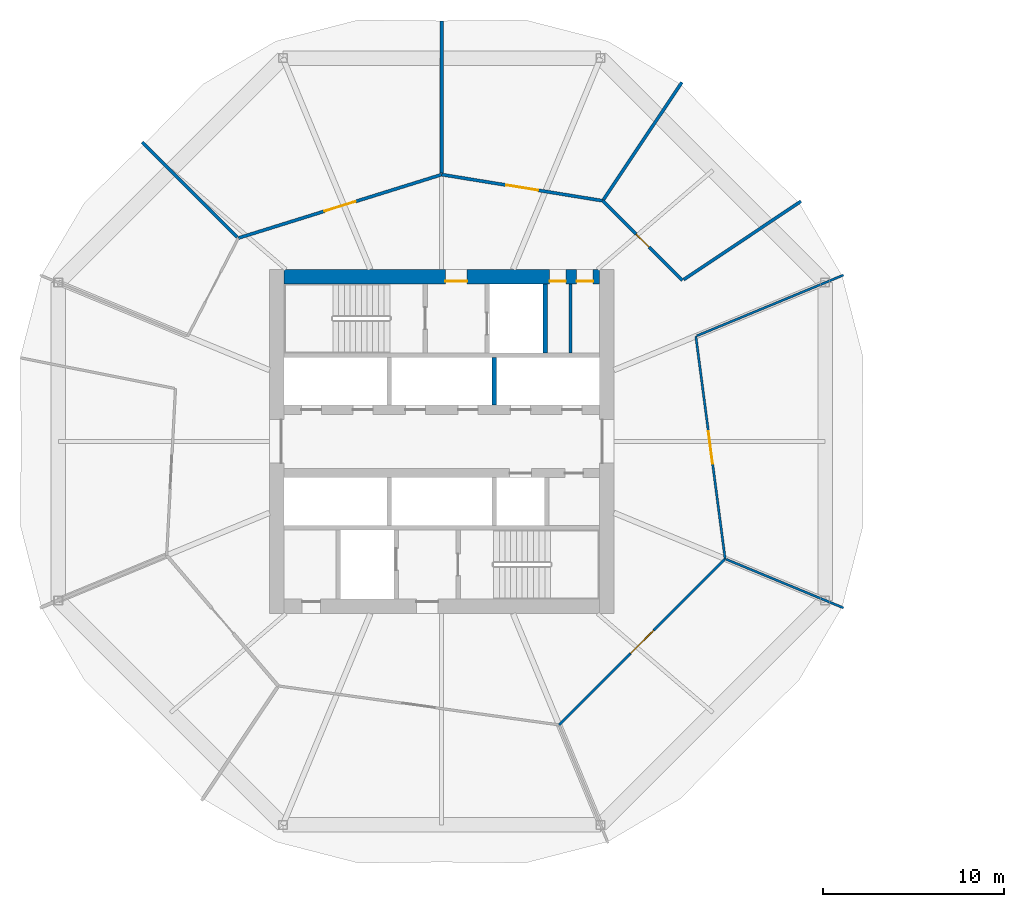
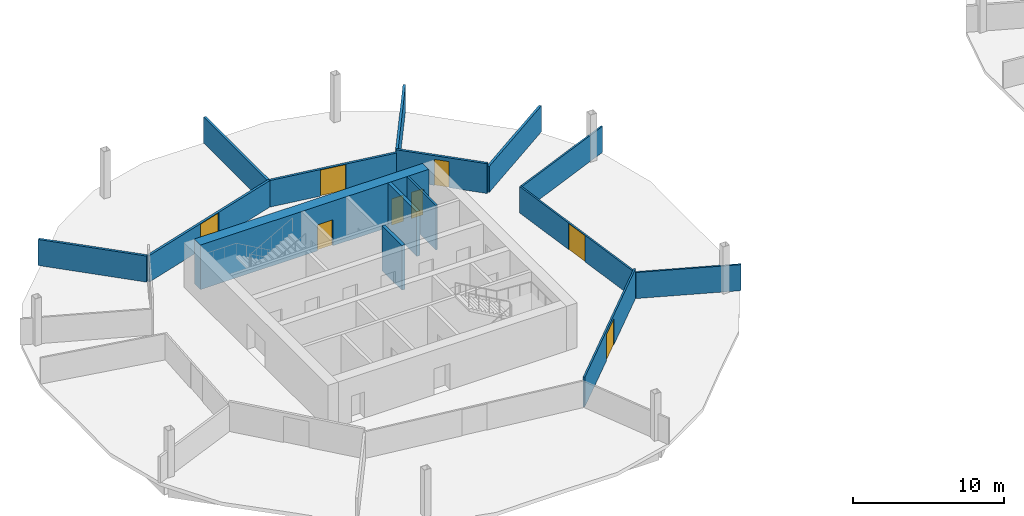
# One storey, part 5 of 9: 15 walls, 8 doors, 8 openings.
"""IFC4 building model written with IfcOpenShell, lengths in metres."""

from ifc_helpers import new_model, si_unit, direction, frame, frame_2d, origin, place, context, subcontext, project, spatial, rectangle, extrude, material, layer, layer_set, type_object, element, fill, save


model = new_model("IFC4")

# Units and contexts
model_context = context("Model", 3, precision=1e-05, world=origin(), true_north=direction((0.0, 1.0)))
body_context = subcontext(model_context, "Body", "Model", "MODEL_VIEW")
ifc_project = project(units=[si_unit("LENGTHUNIT", "METRE"), si_unit("AREAUNIT", "SQUARE_METRE"), si_unit("VOLUMEUNIT", "CUBIC_METRE"), si_unit("PLANEANGLEUNIT", "RADIAN"), si_unit("MASSUNIT", "GRAM", prefix="KILO")], contexts=[model_context])

# Site, building, storey
site_placement = place(None, origin())
site = spatial("IfcSite", under=ifc_project, at=site_placement, CompositionType="ELEMENT")
building_placement = place(site_placement, origin())
building = spatial("IfcBuilding", under=site, at=building_placement, Name="Ogive Gate Towers", CompositionType="ELEMENT")
storey_placement = place(building_placement, frame((0.0, 0.0, 67.5)))
storey = spatial("IfcBuildingStorey", under=building, at=storey_placement, Name="L15", CompositionType="ELEMENT", Elevation=67.5)

# Walls
ifc_material_1 = material(Name="Gypsum board acoustic partition")
ifc_layer_1 = layer(ifc_material_1, 0.175048828125)
ifc_layer_set_1 = layer_set([ifc_layer_1], Name="Acoustic partition 175")
wall_type_1 = type_object("IfcWallType", Name="Acoustic partition 175", PredefinedType="PARTITIONING", material=ifc_layer_set_1)
for number, where, z_axis, x_axis, name in (
    (1, (-16.17919921875, 13.2529296875, 0.0), (0.0, 0.0, 1.0), (-0.831301260907, -0.555822106087, 0.0), "Partition T1-L15-002"),
    (2, (-22.7470703125, 19.82080078125, 0.0), (0.0, 0.0, 1.0), (-0.555822106087, -0.831301260907, 0.0), "Partition T1-L15-003"),
):
    element("IfcWall", number, at=place(storey_placement, frame(where, z_axis=z_axis, x_axis=x_axis)), inside=storey, type_object=wall_type_1, Name=name, PredefinedType="PARTITIONING", context=body_context, shape_type="SweptSolid", body=[
        extrude(rectangle(XDim=7.7802734375, YDim=0.175048828125, at=frame_2d((3.89013671875, 0.0))), origin(), (0.0, 0.0, 1.0), 2.10009765625),
    ])
wall_1_placement = place(storey_placement, frame((-36.0, 23.208984375, 0.0), z_axis=(0.0, 0.0, 1.0), x_axis=(0.0, -1.0, 0.0)))
element("IfcWall", 3, at=wall_1_placement, inside=storey, type_object=wall_type_1, Name="Partition T1-L15-004", PredefinedType="PARTITIONING", context=body_context, shape_type="SweptSolid", body=[
    extrude(rectangle(XDim=8.396484375, YDim=0.175048828125, at=frame_2d((4.1982421875, 0.0))), origin(), (0.0, 0.0, 1.0), 2.10009765625),
])
wall_2_placement = place(storey_placement, frame((-52.52490234375, 16.52490234375, 0.0), z_axis=(0.0, 0.0, 1.0), x_axis=(0.707106781187, -0.707106781187, 0.0)))
element("IfcWall", 4, at=wall_2_placement, inside=storey, type_object=wall_type_1, Name="Partition T1-L15-005", PredefinedType="PARTITIONING", context=body_context, shape_type="SweptSolid", body=[
    extrude(rectangle(XDim=7.412109375, YDim=0.175048828125, at=frame_2d((3.7060546875, 0.0))), origin(), (0.0, 0.0, 1.0), 2.10009765625),
])

# Wall, opening, door
wall_3_placement = place(storey_placement, frame((-22.719482421875, 8.879638671875, 0.0), z_axis=(0.0, 0.0, 1.0), x_axis=(-0.707106781187, 0.707106781187, 0.0)))
wall_3 = element("IfcWall", 5, at=wall_3_placement, inside=storey, type_object=wall_type_1, Name="Partition T1-L15-012", PredefinedType="PARTITIONING", context=body_context, shape_type="SweptSolid", body=[
    extrude(rectangle(XDim=6.223876953125, YDim=0.175048828125, at=frame_2d((3.11181640625, 0.0))), origin(), (0.0, 0.0, 1.0), 2.39990234375),
])
opening_1_placement = place(wall_3_placement, frame((2.612060546875, 0.0, 0.0)))
opening_1 = element("IfcOpeningElement", 6, at=opening_1_placement, cuts=wall_3, Name="Opening T1-L15-D01", PredefinedType="OPENING", context=body_context, shape_type="SweptSolid", body=[
    extrude(rectangle(XDim=1.0, YDim=2.10009765625, at=frame_2d((0.5, 1.050048828125))), frame((0.0, 0.09765625, 0.0), z_axis=(0.0, -1.0, 0.0), x_axis=(1.0, 0.0, 0.0)), (0.0, 0.0, 1.0), 0.195068359375),
])
ifc_material_2 = material(Name="Timber door", Category="wood")
door_type_1 = type_object("IfcDoorType", Name="Door 1000", OperationType="NOTDEFINED", PredefinedType="DOOR", material=ifc_material_2)
door_1_placement = place(opening_1_placement, origin())
door_1 = element("IfcDoor", 7, at=door_1_placement, inside=storey, type_object=door_type_1, Name="Door T1-L15-D01", OperationType="SINGLE_SWING_LEFT", OverallHeight=2.10009765625, OverallWidth=1.0, PredefinedType="DOOR", context=body_context, shape_type="SweptSolid", body=[
    extrude(rectangle(XDim=1.0, YDim=2.10009765625, at=frame_2d((0.5, 1.050048828125))), frame((0.0, 0.02490234375, 0.0), z_axis=(0.0, -1.0, 0.0), x_axis=(1.0, 0.0, 0.0)), (0.0, 0.0, 1.0), 0.050048828125),
])
fill(opening_1, door_1)

wall_4_placement = place(storey_placement, frame((-27.120361328125, 13.280517578125, 0.0), z_axis=(0.0, 0.0, 1.0), x_axis=(-0.987023878965, 0.160573541883, 0.0)))
wall_4 = element("IfcWall", 8, at=wall_4_placement, inside=storey, type_object=wall_type_1, Name="Partition T1-L15-013", PredefinedType="PARTITIONING", context=body_context, shape_type="SweptSolid", body=[
    extrude(rectangle(XDim=8.996337890625, YDim=0.175048828125, at=frame_2d((4.498046875, 0.0))), origin(), (0.0, 0.0, 1.0), 2.139892578125),
])
opening_2_placement = place(wall_4_placement, frame((3.597900390625, 0.0, 0.0)))
opening_2 = element("IfcOpeningElement", 9, at=opening_2_placement, cuts=wall_4, Name="Opening T1-L15-D02", PredefinedType="OPENING", context=body_context, shape_type="SweptSolid", body=[
    extrude(rectangle(XDim=1.800048828125, YDim=2.10009765625, at=frame_2d((0.89990234375, 1.050048828125))), frame((0.0, 0.09765625, 0.0), z_axis=(0.0, -1.0, 0.0), x_axis=(1.0, 0.0, 0.0)), (0.0, 0.0, 1.0), 0.195068359375),
])
door_type_2 = type_object("IfcDoorType", Name="Door pair 1800", OperationType="NOTDEFINED", PredefinedType="DOOR", material=ifc_material_2)
door_2_placement = place(opening_2_placement, origin())
door_2 = element("IfcDoor", 10, at=door_2_placement, inside=storey, type_object=door_type_2, Name="Door T1-L15-D02", OperationType="DOUBLE_DOOR_DOUBLE_SWING", OverallHeight=2.10009765625, OverallWidth=1.800048828125, PredefinedType="DOOR", context=body_context, shape_type="SweptSolid", body=[
    extrude(rectangle(XDim=1.800048828125, YDim=2.10009765625, at=frame_2d((0.89990234375, 1.050048828125))), frame((0.0, 0.02490234375, 0.0), z_axis=(0.0, -1.0, 0.0), x_axis=(1.0, 0.0, 0.0)), (0.0, 0.0, 1.0), 0.050048828125),
])
fill(opening_2, door_2)

wall_5_placement = place(storey_placement, frame((-36.0, 14.72509765625, 0.0), z_axis=(0.0, 0.0, 1.0), x_axis=(-0.954561239175, -0.29801483296, 0.0)))
wall_5 = element("IfcWall", 11, at=wall_5_placement, inside=storey, type_object=wall_type_1, Name="Partition T1-L15-014", PredefinedType="PARTITIONING", context=body_context, shape_type="SweptSolid", body=[
    extrude(rectangle(XDim=11.755859375, YDim=0.175048828125, at=frame_2d((5.8779296875, 0.0))), origin(), (0.0, 0.0, 1.0), 2.139892578125),
])
opening_3_placement = place(wall_5_placement, frame((4.97802734375, 0.0, 0.0)))
opening_3 = element("IfcOpeningElement", 12, at=opening_3_placement, cuts=wall_5, Name="Opening T1-L15-D03", PredefinedType="OPENING", context=body_context, shape_type="SweptSolid", body=[
    extrude(rectangle(XDim=1.800048828125, YDim=2.10009765625, at=frame_2d((0.89990234375, 1.050048828125))), frame((0.0, 0.09765625, 0.0), z_axis=(0.0, -1.0, 0.0), x_axis=(1.0, 0.0, 0.0)), (0.0, 0.0, 1.0), 0.195068359375),
])
door_3_placement = place(opening_3_placement, origin())
door_3 = element("IfcDoor", 13, at=door_3_placement, inside=storey, type_object=door_type_2, Name="Door T1-L15-D03", OperationType="DOUBLE_DOOR_DOUBLE_SWING", OverallHeight=2.10009765625, OverallWidth=1.800048828125, PredefinedType="DOOR", context=body_context, shape_type="SweptSolid", body=[
    extrude(rectangle(XDim=1.800048828125, YDim=2.10009765625, at=frame_2d((0.89990234375, 1.050048828125))), frame((0.0, 0.02490234375, 0.0), z_axis=(0.0, -1.0, 0.0), x_axis=(1.0, 0.0, 0.0)), (0.0, 0.0, 1.0), 0.050048828125),
])
fill(opening_3, door_3)

# Wall, openings, doors
ifc_material_3 = material(Name="Concrete C60/75", Category="concrete")
ifc_layer_2 = layer(ifc_material_3, 0.800048828125)
ifc_layer_set_2 = layer_set([ifc_layer_2], Name="Core wall 800 mm")
wall_type_2 = type_object("IfcWallType", Name="Core wall 800 mm", PredefinedType="SHEAR", material=ifc_layer_set_2)
wall_6_placement = place(storey_placement, frame((-44.699951171875, 9.10009765625, 0.0), z_axis=(0.0, 0.0, 1.0), x_axis=(1.0, 0.0, 0.0)))
wall_6 = element("IfcWall", 14, at=wall_6_placement, inside=storey, type_object=wall_type_2, Name="T1 L15 Core wall 800 mm", PredefinedType="SHEAR", context=body_context, shape_type="SweptSolid", body=[
    extrude(rectangle(XDim=17.39990234375, YDim=0.800048828125, at=frame_2d((8.699951171875, 0.0))), origin(), (0.0, 0.0, 1.0), 3.60009765625),
])
opening_4_placement = place(wall_6_placement, frame((8.89990234375, 0.0, 0.0)))
opening_4 = element("IfcOpeningElement", 15, at=opening_4_placement, cuts=wall_6, Name="Opening KD-T1-L15-15", PredefinedType="OPENING", context=body_context, shape_type="SweptSolid", body=[
    extrude(rectangle(XDim=1.199951171875, YDim=2.10009765625, at=frame_2d((0.60009765625, 1.050048828125))), frame((0.0, 0.41015625, 0.0), z_axis=(0.0, -1.0, 0.0), x_axis=(1.0, 0.0, 0.0)), (0.0, 0.0, 1.0), 0.820068359375),
])
opening_5_placement = place(wall_6_placement, frame((14.64990234375, 0.0, 0.0)))
opening_5 = element("IfcOpeningElement", 16, at=opening_5_placement, cuts=wall_6, Name="Opening KD-T1-L15-17", PredefinedType="OPENING", context=body_context, shape_type="SweptSolid", body=[
    extrude(rectangle(XDim=0.89990234375, YDim=2.10009765625, at=frame_2d((0.449951171875, 1.050048828125))), frame((0.0, 0.41015625, 0.0), z_axis=(0.0, -1.0, 0.0), x_axis=(1.0, 0.0, 0.0)), (0.0, 0.0, 1.0), 0.820068359375),
])
opening_6_placement = place(wall_6_placement, frame((16.14990234375, 0.0, 0.0)))
opening_6 = element("IfcOpeningElement", 17, at=opening_6_placement, cuts=wall_6, Name="Opening KD-T1-L15-18", PredefinedType="OPENING", context=body_context, shape_type="SweptSolid", body=[
    extrude(rectangle(XDim=0.89990234375, YDim=2.10009765625, at=frame_2d((0.449951171875, 1.050048828125))), frame((0.0, 0.41015625, 0.0), z_axis=(0.0, -1.0, 0.0), x_axis=(1.0, 0.0, 0.0)), (0.0, 0.0, 1.0), 0.820068359375),
])
door_type_3 = type_object("IfcDoorType", Name="Core WC door 900 x 2100", OperationType="NOTDEFINED", PredefinedType="DOOR", material=ifc_material_2)
door_4_placement = place(opening_5_placement, origin())
door_4 = element("IfcDoor", 18, at=door_4_placement, inside=storey, type_object=door_type_3, Name="T1 L15 Core door", OperationType="SINGLE_SWING_RIGHT", OverallHeight=2.10009765625, OverallWidth=0.89990234375, PredefinedType="DOOR", context=body_context, shape_type="SweptSolid", body=[
    extrude(rectangle(XDim=0.89990234375, YDim=2.10009765625, at=frame_2d((0.449951171875, 1.050048828125))), frame((0.0, -0.22509765625, 0.0), z_axis=(0.0, -1.0, 0.0), x_axis=(1.0, 0.0, 0.0)), (0.0, 0.0, 1.0), 0.050048828125),
])
fill(opening_5, door_4)
door_5_placement = place(opening_6_placement, origin())
door_5 = element("IfcDoor", 19, at=door_5_placement, inside=storey, type_object=door_type_3, Name="T1 L15 Core door", OperationType="SINGLE_SWING_LEFT", OverallHeight=2.10009765625, OverallWidth=0.89990234375, PredefinedType="DOOR", context=body_context, shape_type="SweptSolid", body=[
    extrude(rectangle(XDim=0.89990234375, YDim=2.10009765625, at=frame_2d((0.449951171875, 1.050048828125))), frame((0.0, -0.22509765625, 0.0), z_axis=(0.0, -1.0, 0.0), x_axis=(1.0, 0.0, 0.0)), (0.0, 0.0, 1.0), 0.050048828125),
])
fill(opening_6, door_5)
ifc_material_4 = material(Name="Steel fire door", Category="steel")
door_type_4 = type_object("IfcDoorType", Name="Core door FD60S 1200 x 2100", OperationType="NOTDEFINED", PredefinedType="DOOR", material=ifc_material_4)
door_6_placement = place(opening_4_placement, origin())
door_6 = element("IfcDoor", 20, at=door_6_placement, inside=storey, type_object=door_type_4, Name="T1 L15 Fire-fighting lobby door", OperationType="SINGLE_SWING_RIGHT", OverallHeight=2.10009765625, OverallWidth=1.199951171875, PredefinedType="DOOR", context=body_context, shape_type="SweptSolid", body=[
    extrude(rectangle(XDim=1.199951171875, YDim=2.10009765625, at=frame_2d((0.60009765625, 1.050048828125))), frame((0.0, -0.22509765625, 0.0), z_axis=(0.0, -1.0, 0.0), x_axis=(1.0, 0.0, 0.0)), (0.0, 0.0, 1.0), 0.050048828125),
])
fill(opening_4, door_6)

# Walls
ifc_material_5 = material(Name="Gypsum board partition")
ifc_layer_3 = layer(ifc_material_5, 0.125)
ifc_layer_set_3 = layer_set([ifc_layer_3], Name="Partition 125")
wall_type_3 = type_object("IfcWallType", Name="Partition 125", PredefinedType="PARTITIONING", material=ifc_layer_set_3)
wall_7_placement = place(storey_placement, frame((-13.83154296875, 9.182373046875, 0.0), z_axis=(0.0, 0.0, 1.0), x_axis=(-0.923883284304, -0.38267437461, 0.0)))
element("IfcWall", 21, at=wall_7_placement, inside=storey, type_object=wall_type_3, Name="Partition T1-L15-001", PredefinedType="PARTITIONING", context=body_context, shape_type="SweptSolid", body=[
    extrude(rectangle(XDim=8.75634765625, YDim=0.125, at=frame_2d((4.378173828125, 0.0))), origin(), (0.0, 0.0, 1.0), 2.10009765625),
])
wall_8_placement = place(storey_placement, frame((-13.83154296875, -9.182373046875, 0.0), z_axis=(0.0, 0.0, 1.0), x_axis=(-0.923885179641, 0.382669798703, 0.0)))
element("IfcWall", 22, at=wall_8_placement, inside=storey, type_object=wall_type_3, Name="Partition T1-L15-011", PredefinedType="PARTITIONING", context=body_context, shape_type="SweptSolid", body=[
    extrude(rectangle(XDim=7.00634765625, YDim=0.125, at=frame_2d((3.503173828125, 0.0))), origin(), (0.0, 0.0, 1.0), 2.10009765625),
])

# Wall, opening, door
wall_9_placement = place(storey_placement, frame((-29.522705078125, -15.6376953125, 0.0), z_axis=(0.0, 0.0, 1.0), x_axis=(0.707106781187, 0.707106781187, 0.0)))
wall_9 = element("IfcWall", 23, at=wall_9_placement, inside=storey, type_object=wall_type_3, Name="Partition T1-L15-019", PredefinedType="PARTITIONING", context=body_context, shape_type="SweptSolid", body=[
    extrude(rectangle(XDim=12.954833984375, YDim=0.125, at=frame_2d((6.4775390625, 0.0))), origin(), (0.0, 0.0, 1.0), 2.39990234375),
])
opening_7_placement = place(wall_9_placement, frame((5.576904296875, 0.0, 0.0)))
opening_7 = element("IfcOpeningElement", 24, at=opening_7_placement, cuts=wall_9, Name="Opening T1-L15-D08", PredefinedType="OPENING", context=body_context, shape_type="SweptSolid", body=[
    extrude(rectangle(XDim=1.800048828125, YDim=2.10009765625, at=frame_2d((0.89990234375, 1.050048828125))), frame((0.0, 0.072509765625, 0.0), z_axis=(0.0, -1.0, 0.0), x_axis=(1.0, 0.0, 0.0)), (0.0, 0.0, 1.0), 0.14501953125),
])
door_7_placement = place(opening_7_placement, origin())
door_7 = element("IfcDoor", 25, at=door_7_placement, inside=storey, type_object=door_type_2, Name="Door T1-L15-D08", OperationType="DOUBLE_DOOR_DOUBLE_SWING", OverallHeight=2.10009765625, OverallWidth=1.800048828125, PredefinedType="DOOR", context=body_context, shape_type="SweptSolid", body=[
    extrude(rectangle(XDim=1.800048828125, YDim=2.10009765625, at=frame_2d((0.89990234375, 1.050048828125))), frame((0.0, 0.02490234375, 0.0), z_axis=(0.0, -1.0, 0.0), x_axis=(1.0, 0.0, 0.0)), (0.0, 0.0, 1.0), 0.050048828125),
])
fill(opening_7, door_7)

wall_10_placement = place(storey_placement, frame((-20.3623046875, -6.477294921875, 0.0), z_axis=(0.0, 0.0, 1.0), x_axis=(-0.130494777423, 0.991448996704, 0.0)))
wall_10 = element("IfcWall", 26, at=wall_10_placement, inside=storey, type_object=wall_type_3, Name="Partition T1-L15-020", PredefinedType="PARTITIONING", context=body_context, shape_type="SweptSolid", body=[
    extrude(rectangle(XDim=12.390869140625, YDim=0.125, at=frame_2d((6.1953125, 0.0))), origin(), (0.0, 0.0, 1.0), 2.139892578125),
])
opening_8_placement = place(wall_10_placement, frame((5.294921875, 0.0, 0.0)))
opening_8 = element("IfcOpeningElement", 27, at=opening_8_placement, cuts=wall_10, Name="Opening T1-L15-D09", PredefinedType="OPENING", context=body_context, shape_type="SweptSolid", body=[
    extrude(rectangle(XDim=1.800048828125, YDim=2.10009765625, at=frame_2d((0.89990234375, 1.050048828125))), frame((0.0, 0.072509765625, 0.0), z_axis=(0.0, -1.0, 0.0), x_axis=(1.0, 0.0, 0.0)), (0.0, 0.0, 1.0), 0.14501953125),
])
door_8_placement = place(opening_8_placement, origin())
door_8 = element("IfcDoor", 28, at=door_8_placement, inside=storey, type_object=door_type_2, Name="Door T1-L15-D09", OperationType="DOUBLE_DOOR_DOUBLE_SWING", OverallHeight=2.10009765625, OverallWidth=1.800048828125, PredefinedType="DOOR", context=body_context, shape_type="SweptSolid", body=[
    extrude(rectangle(XDim=1.800048828125, YDim=2.10009765625, at=frame_2d((0.89990234375, 1.050048828125))), frame((0.0, 0.02490234375, 0.0), z_axis=(0.0, -1.0, 0.0), x_axis=(1.0, 0.0, 0.0)), (0.0, 0.0, 1.0), 0.050048828125),
])
fill(opening_8, door_8)

# Walls
ifc_layer_4 = layer(ifc_material_5, 0.14990234375)
ifc_layer_set_4 = layer_set([ifc_layer_4], Name="Room partition 150 mm")
wall_type_4 = type_object("IfcWallType", Name="Room partition 150 mm", PredefinedType="PARTITIONING", material=ifc_layer_set_4)
wall_11_placement = place(storey_placement, frame((-28.89990234375, 4.875, 0.0), z_axis=(0.0, 0.0, 1.0), x_axis=(0.0, 1.0, 0.0)))
element("IfcWall", 29, at=wall_11_placement, inside=storey, type_object=wall_type_4, Name="T1 L15 Room partition 150 mm", PredefinedType="PARTITIONING", context=body_context, shape_type="SweptSolid", body=[
    extrude(rectangle(XDim=3.824951171875, YDim=0.14990234375, at=frame_2d((1.91259765625, 0.0))), origin(), (0.0, 0.0, 1.0), 3.60009765625),
])
ifc_layer_5 = layer(ifc_material_3, 0.25)
ifc_layer_set_5 = layer_set([ifc_layer_5], Name="Shaft wall 250 mm")
wall_type_5 = type_object("IfcWallType", Name="Shaft wall 250 mm", PredefinedType="SHEAR", material=ifc_layer_set_5)
wall_12_placement = place(storey_placement, frame((-33.10009765625, 2.0, 0.0), z_axis=(0.0, 0.0, 1.0), x_axis=(0.0, 1.0, 0.0)))
element("IfcWall", 30, at=wall_12_placement, inside=storey, type_object=wall_type_5, Name="T1 L15 Shaft wall 250 mm", PredefinedType="SHEAR", context=body_context, shape_type="SweptSolid", body=[
    extrude(rectangle(XDim=2.625, YDim=0.25, at=frame_2d((1.3125, 0.0))), origin(), (0.0, 0.0, 1.0), 3.60009765625),
])
wall_13_placement = place(storey_placement, frame((-30.300048828125, 4.875, 0.0), z_axis=(0.0, 0.0, 1.0), x_axis=(0.0, 1.0, 0.0)))
element("IfcWall", 31, at=wall_13_placement, inside=storey, type_object=wall_type_5, Name="T1 L15 Shaft wall 250 mm", PredefinedType="SHEAR", context=body_context, shape_type="SweptSolid", body=[
    extrude(rectangle(XDim=3.824951171875, YDim=0.25, at=frame_2d((1.91259765625, 0.0))), origin(), (0.0, 0.0, 1.0), 3.60009765625),
])

save(model, "model.ifc")
